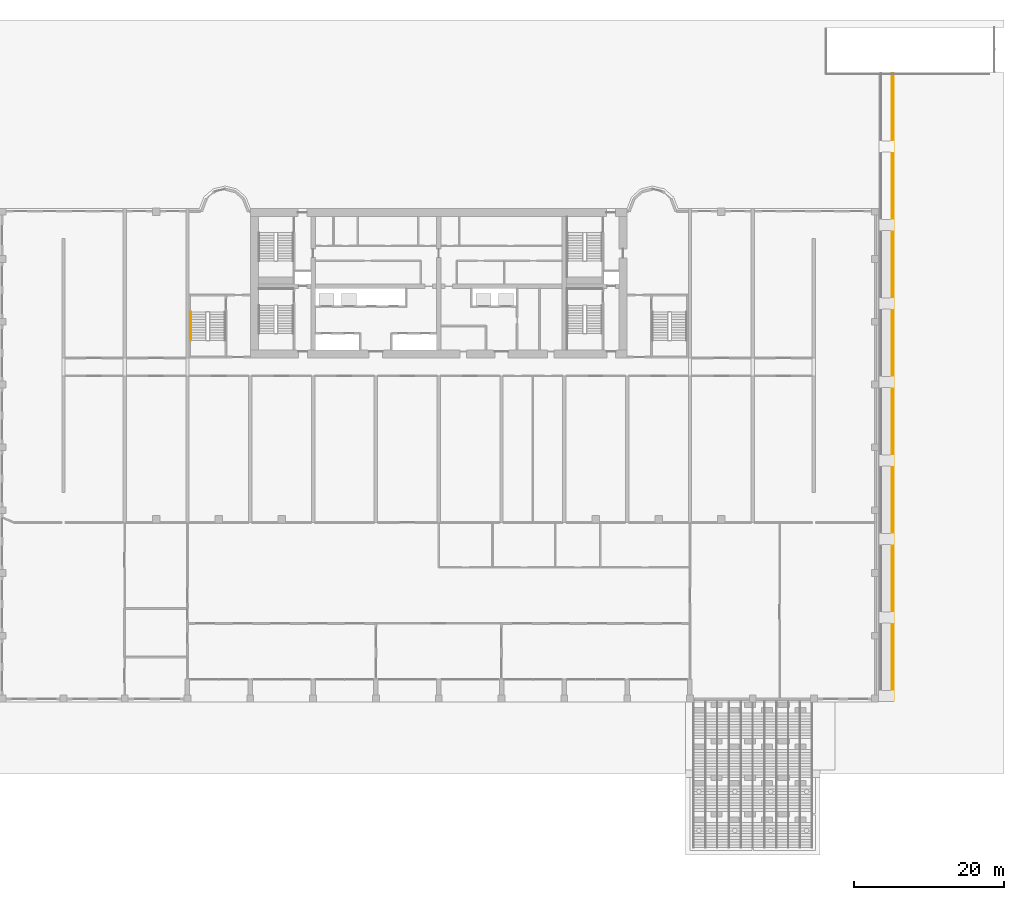
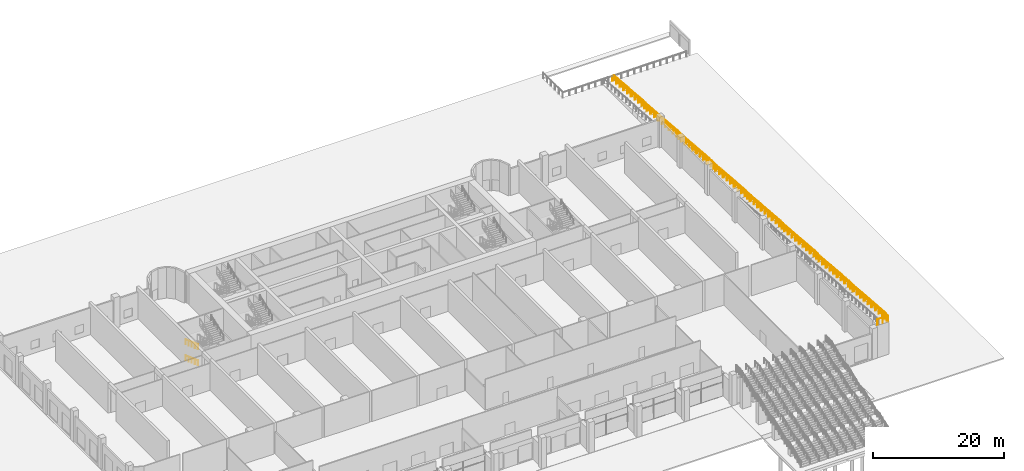
# One storey, part 18 of 20: 4 railings.
"""IFC4 building model written with IfcOpenShell, lengths in metres."""

from ifc_helpers import new_model, si_unit, direction, frame, origin, origin_2d, place, context, subcontext, project, spatial, circle, extrude, source, transform, mapped, material, type_object, element, save


model = new_model("IFC4")

# Units and contexts
model_context = context("Model", 3, precision=1e-05, world=origin(), true_north=direction((0.0, 1.0)))
body_context = subcontext(model_context, "Body", "Model", "MODEL_VIEW")
ifc_project = project(units=[si_unit("LENGTHUNIT", "METRE"), si_unit("AREAUNIT", "SQUARE_METRE"), si_unit("VOLUMEUNIT", "CUBIC_METRE"), si_unit("PLANEANGLEUNIT", "RADIAN"), si_unit("MASSUNIT", "GRAM", prefix="KILO")], contexts=[model_context])

# Site, building, storey
site_placement = place(None, origin())
site = spatial("IfcSite", under=ifc_project, at=site_placement, CompositionType="ELEMENT")
building_placement = place(site_placement, origin())
building = spatial("IfcBuilding", under=site, at=building_placement, Name="Vanashikhar Sky Hotel", CompositionType="ELEMENT")
storey_placement = place(building_placement, origin())
storey = spatial("IfcBuildingStorey", under=building, at=storey_placement, Name="L00", CompositionType="ELEMENT", Elevation=0.0)

# Railings
ifc_material_1 = material(Name="Stainless steel 316", Category="steel")
railing_type_1 = type_object("IfcRailingType", Name="Garden stair guard 1100", PredefinedType="GUARDRAIL", material=ifc_material_1)
shared_shape_1 = source(origin(), body_context, "Body", "SweptSolid", [
    extrude(circle(Radius=0.02392578125, at=origin_2d()), frame((0.0, 0.0, 1.076171875), z_axis=(1.0, 0.0, 0.0), x_axis=(0.0, 1.0, 0.0)), (0.0, 0.0, 1.0), 1.89990234375),
    extrude(circle(Radius=0.02392578125, at=origin_2d()), frame((1.89990234375, 0.0, 1.076171875), z_axis=(0.0, 1.0, 0.0), x_axis=(-1.0, 0.0, 0.0)), (0.0, 0.0, 1.0), 1.400146484375),
    extrude(circle(Radius=0.02392578125, at=origin_2d()), frame((1.89990234375, 1.400146484375, 1.076171875), z_axis=(0.0, 0.996545758245, -0.083045479854), x_axis=(-1.0, 0.0, 0.0)), (0.0, 0.0, 1.0), 9.03125),
    extrude(circle(Radius=0.02392578125, at=origin_2d()), frame((1.89990234375, 10.400146484375, 0.326171875), z_axis=(0.0, 1.0, 0.0), x_axis=(-1.0, 0.0, 0.0)), (0.0, 0.0, 1.0), 1.5),
    extrude(circle(Radius=0.02392578125, at=origin_2d()), frame((1.89990234375, 11.900146484375, 0.326171875), z_axis=(0.0, 0.996545758245, -0.083045479854), x_axis=(-1.0, 0.0, 0.0)), (0.0, 0.0, 1.0), 9.03125),
    extrude(circle(Radius=0.02392578125, at=origin_2d()), frame((1.89990234375, 20.900146484375, -0.423828125), z_axis=(0.0, 1.0, 0.0), x_axis=(-1.0, 0.0, 0.0)), (0.0, 0.0, 1.0), 1.5),
    extrude(circle(Radius=0.02392578125, at=origin_2d()), frame((1.89990234375, 22.400146484375, -0.423828125), z_axis=(0.0, 0.996545758245, -0.083045479854), x_axis=(-1.0, 0.0, 0.0)), (0.0, 0.0, 1.0), 9.03125),
    extrude(circle(Radius=0.02392578125, at=origin_2d()), frame((1.89990234375, 31.400146484375, -1.173828125), z_axis=(0.0, 1.0, 0.0), x_axis=(-1.0, 0.0, 0.0)), (0.0, 0.0, 1.0), 1.5),
    extrude(circle(Radius=0.02392578125, at=origin_2d()), frame((1.89990234375, 32.900146484375, -1.173828125), z_axis=(0.0, 0.996545758245, -0.083045479854), x_axis=(-1.0, 0.0, 0.0)), (0.0, 0.0, 1.0), 9.03125),
    extrude(circle(Radius=0.02392578125, at=origin_2d()), frame((1.89990234375, 41.900146484375, -1.923828125), z_axis=(0.0, 1.0, 0.0), x_axis=(-1.0, 0.0, 0.0)), (0.0, 0.0, 1.0), 1.5),
    extrude(circle(Radius=0.02392578125, at=origin_2d()), frame((1.89990234375, 43.400146484375, -1.923828125), z_axis=(0.0, 0.996545758245, -0.083045479854), x_axis=(-1.0, 0.0, 0.0)), (0.0, 0.0, 1.0), 9.03125),
    extrude(circle(Radius=0.02392578125, at=origin_2d()), frame((1.89990234375, 52.400146484375, -2.673828125), z_axis=(0.0, 1.0, 0.0), x_axis=(-1.0, 0.0, 0.0)), (0.0, 0.0, 1.0), 1.5),
    extrude(circle(Radius=0.02392578125, at=origin_2d()), frame((1.89990234375, 53.900146484375, -2.673828125), z_axis=(0.0, 0.996545758245, -0.083045479854), x_axis=(-1.0, 0.0, 0.0)), (0.0, 0.0, 1.0), 9.03125),
    extrude(circle(Radius=0.02392578125, at=origin_2d()), frame((1.89990234375, 62.900146484375, -3.423828125), z_axis=(0.0, 1.0, 0.0), x_axis=(-1.0, 0.0, 0.0)), (0.0, 0.0, 1.0), 1.5),
    extrude(circle(Radius=0.02392578125, at=origin_2d()), frame((1.89990234375, 64.400146484375, -3.423828125), z_axis=(0.0, 0.996545758245, -0.083045479854), x_axis=(-1.0, 0.0, 0.0)), (0.0, 0.0, 1.0), 9.03125),
    extrude(circle(Radius=0.02392578125, at=origin_2d()), frame((1.89990234375, 73.400146484375, -4.173828125), z_axis=(0.0, 1.0, 0.0), x_axis=(-1.0, 0.0, 0.0)), (0.0, 0.0, 1.0), 1.5),
    extrude(circle(Radius=0.02392578125, at=origin_2d()), frame((1.89990234375, 74.900146484375, -4.173828125), z_axis=(0.0, 0.996545758245, -0.083045479854), x_axis=(-1.0, 0.0, 0.0)), (0.0, 0.0, 1.0), 9.03125),
    extrude(circle(Radius=0.02099609375, at=origin_2d()), origin(), (0.0, 0.0, 1.0), 1.052001953125),
    extrude(circle(Radius=0.02099609375, at=origin_2d()), frame((0.949951171875, 0.0, 0.0)), (0.0, 0.0, 1.0), 1.052001953125),
    extrude(circle(Radius=0.02099609375, at=origin_2d()), frame((1.89990234375, 0.0, 0.0)), (0.0, 0.0, 1.0), 1.052001953125),
    extrude(circle(Radius=0.02099609375, at=origin_2d()), frame((1.89990234375, 0.7001953125, 0.0)), (0.0, 0.0, 1.0), 1.052001953125),
    extrude(circle(Radius=0.02099609375, at=origin_2d()), frame((1.89990234375, 1.400146484375, 0.0)), (0.0, 0.0, 1.0), 1.052001953125),
    extrude(circle(Radius=0.02099609375, at=origin_2d()), frame((1.89990234375, 2.525146484375, -0.09375)), (0.0, 0.0, 1.0), 1.052001953125),
    extrude(circle(Radius=0.02099609375, at=origin_2d()), frame((1.89990234375, 3.650146484375, -0.1875)), (0.0, 0.0, 1.0), 1.052001953125),
    extrude(circle(Radius=0.02099609375, at=origin_2d()), frame((1.89990234375, 4.775146484375, -0.28125)), (0.0, 0.0, 1.0), 1.052001953125),
    extrude(circle(Radius=0.02099609375, at=origin_2d()), frame((1.89990234375, 5.900146484375, -0.375)), (0.0, 0.0, 1.0), 1.052001953125),
    extrude(circle(Radius=0.02099609375, at=origin_2d()), frame((1.89990234375, 7.025146484375, -0.46875)), (0.0, 0.0, 1.0), 1.052001953125),
    extrude(circle(Radius=0.02099609375, at=origin_2d()), frame((1.89990234375, 8.150146484375, -0.5625)), (0.0, 0.0, 1.0), 1.052001953125),
    extrude(circle(Radius=0.02099609375, at=origin_2d()), frame((1.89990234375, 9.275146484375, -0.65625)), (0.0, 0.0, 1.0), 1.052001953125),
    extrude(circle(Radius=0.02099609375, at=origin_2d()), frame((1.89990234375, 10.400146484375, -0.75)), (0.0, 0.0, 1.0), 1.052001953125),
    extrude(circle(Radius=0.02099609375, at=origin_2d()), frame((1.89990234375, 11.150146484375, -0.75)), (0.0, 0.0, 1.0), 1.052001953125),
    extrude(circle(Radius=0.02099609375, at=origin_2d()), frame((1.89990234375, 11.900146484375, -0.75)), (0.0, 0.0, 1.0), 1.052001953125),
    extrude(circle(Radius=0.02099609375, at=origin_2d()), frame((1.89990234375, 13.025146484375, -0.84375)), (0.0, 0.0, 1.0), 1.052001953125),
    extrude(circle(Radius=0.02099609375, at=origin_2d()), frame((1.89990234375, 14.150146484375, -0.9375)), (0.0, 0.0, 1.0), 1.052001953125),
    extrude(circle(Radius=0.02099609375, at=origin_2d()), frame((1.89990234375, 15.275146484375, -1.03125)), (0.0, 0.0, 1.0), 1.052001953125),
    extrude(circle(Radius=0.02099609375, at=origin_2d()), frame((1.89990234375, 16.400146484375, -1.125)), (0.0, 0.0, 1.0), 1.052001953125),
    extrude(circle(Radius=0.02099609375, at=origin_2d()), frame((1.89990234375, 17.525146484375, -1.21875)), (0.0, 0.0, 1.0), 1.052001953125),
    extrude(circle(Radius=0.02099609375, at=origin_2d()), frame((1.89990234375, 18.650146484375, -1.3125)), (0.0, 0.0, 1.0), 1.052001953125),
    extrude(circle(Radius=0.02099609375, at=origin_2d()), frame((1.89990234375, 19.775146484375, -1.40625)), (0.0, 0.0, 1.0), 1.052001953125),
    extrude(circle(Radius=0.02099609375, at=origin_2d()), frame((1.89990234375, 20.900146484375, -1.5)), (0.0, 0.0, 1.0), 1.052001953125),
    extrude(circle(Radius=0.02099609375, at=origin_2d()), frame((1.89990234375, 21.650146484375, -1.5)), (0.0, 0.0, 1.0), 1.052001953125),
    extrude(circle(Radius=0.02099609375, at=origin_2d()), frame((1.89990234375, 22.400146484375, -1.5)), (0.0, 0.0, 1.0), 1.052001953125),
    extrude(circle(Radius=0.02099609375, at=origin_2d()), frame((1.89990234375, 23.525146484375, -1.59375)), (0.0, 0.0, 1.0), 1.052001953125),
    extrude(circle(Radius=0.02099609375, at=origin_2d()), frame((1.89990234375, 24.650146484375, -1.6875)), (0.0, 0.0, 1.0), 1.052001953125),
    extrude(circle(Radius=0.02099609375, at=origin_2d()), frame((1.89990234375, 25.775146484375, -1.78125)), (0.0, 0.0, 1.0), 1.052001953125),
    extrude(circle(Radius=0.02099609375, at=origin_2d()), frame((1.89990234375, 26.900146484375, -1.875)), (0.0, 0.0, 1.0), 1.052001953125),
    extrude(circle(Radius=0.02099609375, at=origin_2d()), frame((1.89990234375, 28.025146484375, -1.96875)), (0.0, 0.0, 1.0), 1.052001953125),
    extrude(circle(Radius=0.02099609375, at=origin_2d()), frame((1.89990234375, 29.150146484375, -2.0625)), (0.0, 0.0, 1.0), 1.052001953125),
    extrude(circle(Radius=0.02099609375, at=origin_2d()), frame((1.89990234375, 30.275146484375, -2.15625)), (0.0, 0.0, 1.0), 1.052001953125),
    extrude(circle(Radius=0.02099609375, at=origin_2d()), frame((1.89990234375, 31.400146484375, -2.25)), (0.0, 0.0, 1.0), 1.052001953125),
    extrude(circle(Radius=0.02099609375, at=origin_2d()), frame((1.89990234375, 32.150146484375, -2.25)), (0.0, 0.0, 1.0), 1.052001953125),
    extrude(circle(Radius=0.02099609375, at=origin_2d()), frame((1.89990234375, 32.900146484375, -2.25)), (0.0, 0.0, 1.0), 1.052001953125),
    extrude(circle(Radius=0.02099609375, at=origin_2d()), frame((1.89990234375, 34.025146484375, -2.34375)), (0.0, 0.0, 1.0), 1.052001953125),
    extrude(circle(Radius=0.02099609375, at=origin_2d()), frame((1.89990234375, 35.150146484375, -2.4375)), (0.0, 0.0, 1.0), 1.052001953125),
    extrude(circle(Radius=0.02099609375, at=origin_2d()), frame((1.89990234375, 36.275146484375, -2.53125)), (0.0, 0.0, 1.0), 1.052001953125),
    extrude(circle(Radius=0.02099609375, at=origin_2d()), frame((1.89990234375, 37.400146484375, -2.625)), (0.0, 0.0, 1.0), 1.052001953125),
    extrude(circle(Radius=0.02099609375, at=origin_2d()), frame((1.89990234375, 38.525146484375, -2.71875)), (0.0, 0.0, 1.0), 1.052001953125),
    extrude(circle(Radius=0.02099609375, at=origin_2d()), frame((1.89990234375, 39.650146484375, -2.8125)), (0.0, 0.0, 1.0), 1.052001953125),
    extrude(circle(Radius=0.02099609375, at=origin_2d()), frame((1.89990234375, 40.775146484375, -2.90625)), (0.0, 0.0, 1.0), 1.052001953125),
    extrude(circle(Radius=0.02099609375, at=origin_2d()), frame((1.89990234375, 41.900146484375, -3.0)), (0.0, 0.0, 1.0), 1.052001953125),
    extrude(circle(Radius=0.02099609375, at=origin_2d()), frame((1.89990234375, 42.650146484375, -3.0)), (0.0, 0.0, 1.0), 1.052001953125),
    extrude(circle(Radius=0.02099609375, at=origin_2d()), frame((1.89990234375, 43.400146484375, -3.0)), (0.0, 0.0, 1.0), 1.052001953125),
    extrude(circle(Radius=0.02099609375, at=origin_2d()), frame((1.89990234375, 44.525146484375, -3.09375)), (0.0, 0.0, 1.0), 1.052001953125),
    extrude(circle(Radius=0.02099609375, at=origin_2d()), frame((1.89990234375, 45.650146484375, -3.1875)), (0.0, 0.0, 1.0), 1.052001953125),
    extrude(circle(Radius=0.02099609375, at=origin_2d()), frame((1.89990234375, 46.775146484375, -3.28125)), (0.0, 0.0, 1.0), 1.052001953125),
    extrude(circle(Radius=0.02099609375, at=origin_2d()), frame((1.89990234375, 47.900146484375, -3.375)), (0.0, 0.0, 1.0), 1.052001953125),
    extrude(circle(Radius=0.02099609375, at=origin_2d()), frame((1.89990234375, 49.025146484375, -3.46875)), (0.0, 0.0, 1.0), 1.052001953125),
    extrude(circle(Radius=0.02099609375, at=origin_2d()), frame((1.89990234375, 50.150146484375, -3.5625)), (0.0, 0.0, 1.0), 1.052001953125),
    extrude(circle(Radius=0.02099609375, at=origin_2d()), frame((1.89990234375, 51.275146484375, -3.65625)), (0.0, 0.0, 1.0), 1.052001953125),
    extrude(circle(Radius=0.02099609375, at=origin_2d()), frame((1.89990234375, 52.400146484375, -3.75)), (0.0, 0.0, 1.0), 1.052001953125),
    extrude(circle(Radius=0.02099609375, at=origin_2d()), frame((1.89990234375, 53.150146484375, -3.75)), (0.0, 0.0, 1.0), 1.052001953125),
    extrude(circle(Radius=0.02099609375, at=origin_2d()), frame((1.89990234375, 53.900146484375, -3.75)), (0.0, 0.0, 1.0), 1.052001953125),
    extrude(circle(Radius=0.02099609375, at=origin_2d()), frame((1.89990234375, 55.025146484375, -3.84375)), (0.0, 0.0, 1.0), 1.052001953125),
    extrude(circle(Radius=0.02099609375, at=origin_2d()), frame((1.89990234375, 56.150146484375, -3.9375)), (0.0, 0.0, 1.0), 1.052001953125),
    extrude(circle(Radius=0.02099609375, at=origin_2d()), frame((1.89990234375, 57.275146484375, -4.03125)), (0.0, 0.0, 1.0), 1.052001953125),
    extrude(circle(Radius=0.02099609375, at=origin_2d()), frame((1.89990234375, 58.400146484375, -4.125)), (0.0, 0.0, 1.0), 1.052001953125),
    extrude(circle(Radius=0.02099609375, at=origin_2d()), frame((1.89990234375, 59.525146484375, -4.21875)), (0.0, 0.0, 1.0), 1.052001953125),
    extrude(circle(Radius=0.02099609375, at=origin_2d()), frame((1.89990234375, 60.650146484375, -4.3125)), (0.0, 0.0, 1.0), 1.052001953125),
    extrude(circle(Radius=0.02099609375, at=origin_2d()), frame((1.89990234375, 61.775146484375, -4.40625)), (0.0, 0.0, 1.0), 1.052001953125),
    extrude(circle(Radius=0.02099609375, at=origin_2d()), frame((1.89990234375, 62.900146484375, -4.5)), (0.0, 0.0, 1.0), 1.052001953125),
    extrude(circle(Radius=0.02099609375, at=origin_2d()), frame((1.89990234375, 63.650146484375, -4.5)), (0.0, 0.0, 1.0), 1.052001953125),
    extrude(circle(Radius=0.02099609375, at=origin_2d()), frame((1.89990234375, 64.400146484375, -4.5)), (0.0, 0.0, 1.0), 1.052001953125),
    extrude(circle(Radius=0.02099609375, at=origin_2d()), frame((1.89990234375, 65.525146484375, -4.59375)), (0.0, 0.0, 1.0), 1.052001953125),
    extrude(circle(Radius=0.02099609375, at=origin_2d()), frame((1.89990234375, 66.650146484375, -4.6875)), (0.0, 0.0, 1.0), 1.052001953125),
    extrude(circle(Radius=0.02099609375, at=origin_2d()), frame((1.89990234375, 67.775146484375, -4.78125)), (0.0, 0.0, 1.0), 1.052001953125),
    extrude(circle(Radius=0.02099609375, at=origin_2d()), frame((1.89990234375, 68.900146484375, -4.875)), (0.0, 0.0, 1.0), 1.052001953125),
    extrude(circle(Radius=0.02099609375, at=origin_2d()), frame((1.89990234375, 70.025146484375, -4.96875)), (0.0, 0.0, 1.0), 1.052001953125),
    extrude(circle(Radius=0.02099609375, at=origin_2d()), frame((1.89990234375, 71.150146484375, -5.0625)), (0.0, 0.0, 1.0), 1.052001953125),
    extrude(circle(Radius=0.02099609375, at=origin_2d()), frame((1.89990234375, 72.275146484375, -5.15625)), (0.0, 0.0, 1.0), 1.052001953125),
    extrude(circle(Radius=0.02099609375, at=origin_2d()), frame((1.89990234375, 73.400146484375, -5.25)), (0.0, 0.0, 1.0), 1.052001953125),
    extrude(circle(Radius=0.02099609375, at=origin_2d()), frame((1.89990234375, 74.150146484375, -5.25)), (0.0, 0.0, 1.0), 1.052001953125),
    extrude(circle(Radius=0.02099609375, at=origin_2d()), frame((1.89990234375, 74.900146484375, -5.25)), (0.0, 0.0, 1.0), 1.052001953125),
    extrude(circle(Radius=0.02099609375, at=origin_2d()), frame((1.89990234375, 76.025146484375, -5.34375)), (0.0, 0.0, 1.0), 1.052001953125),
    extrude(circle(Radius=0.02099609375, at=origin_2d()), frame((1.89990234375, 77.150146484375, -5.4375)), (0.0, 0.0, 1.0), 1.052001953125),
    extrude(circle(Radius=0.02099609375, at=origin_2d()), frame((1.89990234375, 78.275146484375, -5.53125)), (0.0, 0.0, 1.0), 1.052001953125),
    extrude(circle(Radius=0.02099609375, at=origin_2d()), frame((1.89990234375, 79.400146484375, -5.625)), (0.0, 0.0, 1.0), 1.052001953125),
    extrude(circle(Radius=0.02099609375, at=origin_2d()), frame((1.89990234375, 80.525146484375, -5.71875)), (0.0, 0.0, 1.0), 1.052001953125),
    extrude(circle(Radius=0.02099609375, at=origin_2d()), frame((1.89990234375, 81.650146484375, -5.8125)), (0.0, 0.0, 1.0), 1.052001953125),
    extrude(circle(Radius=0.02099609375, at=origin_2d()), frame((1.89990234375, 82.775146484375, -5.90625)), (0.0, 0.0, 1.0), 1.052001953125),
    extrude(circle(Radius=0.02099609375, at=origin_2d()), frame((1.89990234375, 83.900146484375, -6.0)), (0.0, 0.0, 1.0), 1.052001953125),
])
railing_1_placement = place(storey_placement, frame((109.300048828125, -23.85009765625, 6.0)))
element("IfcRailing", 1, at=railing_1_placement, inside=storey, type_object=railing_type_1, Name="Ramp guard", PredefinedType="GUARDRAIL", context=body_context, shape_type="MappedRepresentation", body=[
    mapped(shared_shape_1, transform((0.0, 0.0, 0.0), scale=1.0)),
])
railing_type_2 = type_object("IfcRailingType", Name="Handrail 900", PredefinedType="HANDRAIL", material=ifc_material_1)
shared_shape_2 = source(origin(), body_context, "Body", "SweptSolid", [
    extrude(circle(Radius=0.02392578125, at=origin_2d()), frame((0.0, 0.0, 0.8759765625), z_axis=(0.0, 1.0, 0.0), x_axis=(-1.0, 0.0, 0.0)), (0.0, 0.0, 1.0), 1.300048828125),
    extrude(circle(Radius=0.02392578125, at=origin_2d()), frame((0.0, 1.300048828125, 0.8759765625), z_axis=(0.0, 0.996545758245, -0.083045479854), x_axis=(-1.0, 0.0, 0.0)), (0.0, 0.0, 1.0), 9.03125),
    extrude(circle(Radius=0.02392578125, at=origin_2d()), frame((0.0, 10.300048828125, 0.1259765625), z_axis=(0.0, 1.0, 0.0), x_axis=(-1.0, 0.0, 0.0)), (0.0, 0.0, 1.0), 1.5),
    extrude(circle(Radius=0.02392578125, at=origin_2d()), frame((0.0, 11.800048828125, 0.1259765625), z_axis=(0.0, 0.996545758245, -0.083045479854), x_axis=(-1.0, 0.0, 0.0)), (0.0, 0.0, 1.0), 9.03125),
    extrude(circle(Radius=0.02392578125, at=origin_2d()), frame((0.0, 20.800048828125, -0.6240234375), z_axis=(0.0, 1.0, 0.0), x_axis=(-1.0, 0.0, 0.0)), (0.0, 0.0, 1.0), 1.5),
    extrude(circle(Radius=0.02392578125, at=origin_2d()), frame((0.0, 22.300048828125, -0.6240234375), z_axis=(0.0, 0.996545758245, -0.083045479854), x_axis=(-1.0, 0.0, 0.0)), (0.0, 0.0, 1.0), 9.03125),
    extrude(circle(Radius=0.02392578125, at=origin_2d()), frame((0.0, 31.300048828125, -1.3740234375), z_axis=(0.0, 1.0, 0.0), x_axis=(-1.0, 0.0, 0.0)), (0.0, 0.0, 1.0), 1.5),
    extrude(circle(Radius=0.02392578125, at=origin_2d()), frame((0.0, 32.800048828125, -1.3740234375), z_axis=(0.0, 0.996545758245, -0.083045479854), x_axis=(-1.0, 0.0, 0.0)), (0.0, 0.0, 1.0), 9.03125),
    extrude(circle(Radius=0.02392578125, at=origin_2d()), frame((0.0, 41.800048828125, -2.1240234375), z_axis=(0.0, 1.0, 0.0), x_axis=(-1.0, 0.0, 0.0)), (0.0, 0.0, 1.0), 1.5),
    extrude(circle(Radius=0.02392578125, at=origin_2d()), frame((0.0, 43.300048828125, -2.1240234375), z_axis=(0.0, 0.996545758245, -0.083045479854), x_axis=(-1.0, 0.0, 0.0)), (0.0, 0.0, 1.0), 9.03125),
    extrude(circle(Radius=0.02392578125, at=origin_2d()), frame((0.0, 52.300048828125, -2.8740234375), z_axis=(0.0, 1.0, 0.0), x_axis=(-1.0, 0.0, 0.0)), (0.0, 0.0, 1.0), 1.5),
    extrude(circle(Radius=0.02392578125, at=origin_2d()), frame((0.0, 53.800048828125, -2.8740234375), z_axis=(0.0, 0.996545758245, -0.083045479854), x_axis=(-1.0, 0.0, 0.0)), (0.0, 0.0, 1.0), 9.03125),
    extrude(circle(Radius=0.02392578125, at=origin_2d()), frame((0.0, 62.800048828125, -3.6240234375), z_axis=(0.0, 1.0, 0.0), x_axis=(-1.0, 0.0, 0.0)), (0.0, 0.0, 1.0), 1.5),
    extrude(circle(Radius=0.02392578125, at=origin_2d()), frame((0.0, 64.300048828125, -3.6240234375), z_axis=(0.0, 0.996545758245, -0.083045479854), x_axis=(-1.0, 0.0, 0.0)), (0.0, 0.0, 1.0), 9.03125),
    extrude(circle(Radius=0.02392578125, at=origin_2d()), frame((0.0, 73.300048828125, -4.3740234375), z_axis=(0.0, 1.0, 0.0), x_axis=(-1.0, 0.0, 0.0)), (0.0, 0.0, 1.0), 1.5),
    extrude(circle(Radius=0.02392578125, at=origin_2d()), frame((0.0, 74.800048828125, -4.3740234375), z_axis=(0.0, 0.996545758245, -0.083045479854), x_axis=(-1.0, 0.0, 0.0)), (0.0, 0.0, 1.0), 9.03125),
    extrude(circle(Radius=0.02099609375, at=origin_2d()), origin(), (0.0, 0.0, 1.0), 0.851806640625),
    extrude(circle(Radius=0.02099609375, at=origin_2d()), frame((0.0, 0.64990234375, 0.0)), (0.0, 0.0, 1.0), 0.851806640625),
    extrude(circle(Radius=0.02099609375, at=origin_2d()), frame((0.0, 1.300048828125, 0.0)), (0.0, 0.0, 1.0), 0.851806640625),
    extrude(circle(Radius=0.02099609375, at=origin_2d()), frame((0.0, 2.425048828125, -0.09375)), (0.0, 0.0, 1.0), 0.851806640625),
    extrude(circle(Radius=0.02099609375, at=origin_2d()), frame((0.0, 3.550048828125, -0.1875)), (0.0, 0.0, 1.0), 0.851806640625),
    extrude(circle(Radius=0.02099609375, at=origin_2d()), frame((0.0, 4.675048828125, -0.28125)), (0.0, 0.0, 1.0), 0.851806640625),
    extrude(circle(Radius=0.02099609375, at=origin_2d()), frame((0.0, 5.800048828125, -0.375)), (0.0, 0.0, 1.0), 0.851806640625),
    extrude(circle(Radius=0.02099609375, at=origin_2d()), frame((0.0, 6.925048828125, -0.46875)), (0.0, 0.0, 1.0), 0.851806640625),
    extrude(circle(Radius=0.02099609375, at=origin_2d()), frame((0.0, 8.050048828125, -0.5625)), (0.0, 0.0, 1.0), 0.851806640625),
    extrude(circle(Radius=0.02099609375, at=origin_2d()), frame((0.0, 9.175048828125, -0.65625)), (0.0, 0.0, 1.0), 0.851806640625),
    extrude(circle(Radius=0.02099609375, at=origin_2d()), frame((0.0, 10.300048828125, -0.75)), (0.0, 0.0, 1.0), 0.851806640625),
    extrude(circle(Radius=0.02099609375, at=origin_2d()), frame((0.0, 11.050048828125, -0.75)), (0.0, 0.0, 1.0), 0.851806640625),
    extrude(circle(Radius=0.02099609375, at=origin_2d()), frame((0.0, 11.800048828125, -0.75)), (0.0, 0.0, 1.0), 0.851806640625),
    extrude(circle(Radius=0.02099609375, at=origin_2d()), frame((0.0, 12.925048828125, -0.84375)), (0.0, 0.0, 1.0), 0.851806640625),
    extrude(circle(Radius=0.02099609375, at=origin_2d()), frame((0.0, 14.050048828125, -0.9375)), (0.0, 0.0, 1.0), 0.851806640625),
    extrude(circle(Radius=0.02099609375, at=origin_2d()), frame((0.0, 15.175048828125, -1.03125)), (0.0, 0.0, 1.0), 0.851806640625),
    extrude(circle(Radius=0.02099609375, at=origin_2d()), frame((0.0, 16.300048828125, -1.125)), (0.0, 0.0, 1.0), 0.851806640625),
    extrude(circle(Radius=0.02099609375, at=origin_2d()), frame((0.0, 17.425048828125, -1.21875)), (0.0, 0.0, 1.0), 0.851806640625),
    extrude(circle(Radius=0.02099609375, at=origin_2d()), frame((0.0, 18.550048828125, -1.3125)), (0.0, 0.0, 1.0), 0.851806640625),
    extrude(circle(Radius=0.02099609375, at=origin_2d()), frame((0.0, 19.675048828125, -1.40625)), (0.0, 0.0, 1.0), 0.851806640625),
    extrude(circle(Radius=0.02099609375, at=origin_2d()), frame((0.0, 20.800048828125, -1.5)), (0.0, 0.0, 1.0), 0.851806640625),
    extrude(circle(Radius=0.02099609375, at=origin_2d()), frame((0.0, 21.550048828125, -1.5)), (0.0, 0.0, 1.0), 0.851806640625),
    extrude(circle(Radius=0.02099609375, at=origin_2d()), frame((0.0, 22.300048828125, -1.5)), (0.0, 0.0, 1.0), 0.851806640625),
    extrude(circle(Radius=0.02099609375, at=origin_2d()), frame((0.0, 23.425048828125, -1.59375)), (0.0, 0.0, 1.0), 0.851806640625),
    extrude(circle(Radius=0.02099609375, at=origin_2d()), frame((0.0, 24.550048828125, -1.6875)), (0.0, 0.0, 1.0), 0.851806640625),
    extrude(circle(Radius=0.02099609375, at=origin_2d()), frame((0.0, 25.675048828125, -1.78125)), (0.0, 0.0, 1.0), 0.851806640625),
    extrude(circle(Radius=0.02099609375, at=origin_2d()), frame((0.0, 26.800048828125, -1.875)), (0.0, 0.0, 1.0), 0.851806640625),
    extrude(circle(Radius=0.02099609375, at=origin_2d()), frame((0.0, 27.925048828125, -1.96875)), (0.0, 0.0, 1.0), 0.851806640625),
    extrude(circle(Radius=0.02099609375, at=origin_2d()), frame((0.0, 29.050048828125, -2.0625)), (0.0, 0.0, 1.0), 0.851806640625),
    extrude(circle(Radius=0.02099609375, at=origin_2d()), frame((0.0, 30.175048828125, -2.15625)), (0.0, 0.0, 1.0), 0.851806640625),
    extrude(circle(Radius=0.02099609375, at=origin_2d()), frame((0.0, 31.300048828125, -2.25)), (0.0, 0.0, 1.0), 0.851806640625),
    extrude(circle(Radius=0.02099609375, at=origin_2d()), frame((0.0, 32.050048828125, -2.25)), (0.0, 0.0, 1.0), 0.851806640625),
    extrude(circle(Radius=0.02099609375, at=origin_2d()), frame((0.0, 32.800048828125, -2.25)), (0.0, 0.0, 1.0), 0.851806640625),
    extrude(circle(Radius=0.02099609375, at=origin_2d()), frame((0.0, 33.925048828125, -2.34375)), (0.0, 0.0, 1.0), 0.851806640625),
    extrude(circle(Radius=0.02099609375, at=origin_2d()), frame((0.0, 35.050048828125, -2.4375)), (0.0, 0.0, 1.0), 0.851806640625),
    extrude(circle(Radius=0.02099609375, at=origin_2d()), frame((0.0, 36.175048828125, -2.53125)), (0.0, 0.0, 1.0), 0.851806640625),
    extrude(circle(Radius=0.02099609375, at=origin_2d()), frame((0.0, 37.300048828125, -2.625)), (0.0, 0.0, 1.0), 0.851806640625),
    extrude(circle(Radius=0.02099609375, at=origin_2d()), frame((0.0, 38.425048828125, -2.71875)), (0.0, 0.0, 1.0), 0.851806640625),
    extrude(circle(Radius=0.02099609375, at=origin_2d()), frame((0.0, 39.550048828125, -2.8125)), (0.0, 0.0, 1.0), 0.851806640625),
    extrude(circle(Radius=0.02099609375, at=origin_2d()), frame((0.0, 40.675048828125, -2.90625)), (0.0, 0.0, 1.0), 0.851806640625),
    extrude(circle(Radius=0.02099609375, at=origin_2d()), frame((0.0, 41.800048828125, -3.0)), (0.0, 0.0, 1.0), 0.851806640625),
    extrude(circle(Radius=0.02099609375, at=origin_2d()), frame((0.0, 42.550048828125, -3.0)), (0.0, 0.0, 1.0), 0.851806640625),
    extrude(circle(Radius=0.02099609375, at=origin_2d()), frame((0.0, 43.300048828125, -3.0)), (0.0, 0.0, 1.0), 0.851806640625),
    extrude(circle(Radius=0.02099609375, at=origin_2d()), frame((0.0, 44.425048828125, -3.09375)), (0.0, 0.0, 1.0), 0.851806640625),
    extrude(circle(Radius=0.02099609375, at=origin_2d()), frame((0.0, 45.550048828125, -3.1875)), (0.0, 0.0, 1.0), 0.851806640625),
    extrude(circle(Radius=0.02099609375, at=origin_2d()), frame((0.0, 46.675048828125, -3.28125)), (0.0, 0.0, 1.0), 0.851806640625),
    extrude(circle(Radius=0.02099609375, at=origin_2d()), frame((0.0, 47.800048828125, -3.375)), (0.0, 0.0, 1.0), 0.851806640625),
    extrude(circle(Radius=0.02099609375, at=origin_2d()), frame((0.0, 48.925048828125, -3.46875)), (0.0, 0.0, 1.0), 0.851806640625),
    extrude(circle(Radius=0.02099609375, at=origin_2d()), frame((0.0, 50.050048828125, -3.5625)), (0.0, 0.0, 1.0), 0.851806640625),
    extrude(circle(Radius=0.02099609375, at=origin_2d()), frame((0.0, 51.175048828125, -3.65625)), (0.0, 0.0, 1.0), 0.851806640625),
    extrude(circle(Radius=0.02099609375, at=origin_2d()), frame((0.0, 52.300048828125, -3.75)), (0.0, 0.0, 1.0), 0.851806640625),
    extrude(circle(Radius=0.02099609375, at=origin_2d()), frame((0.0, 53.050048828125, -3.75)), (0.0, 0.0, 1.0), 0.851806640625),
    extrude(circle(Radius=0.02099609375, at=origin_2d()), frame((0.0, 53.800048828125, -3.75)), (0.0, 0.0, 1.0), 0.851806640625),
    extrude(circle(Radius=0.02099609375, at=origin_2d()), frame((0.0, 54.925048828125, -3.84375)), (0.0, 0.0, 1.0), 0.851806640625),
    extrude(circle(Radius=0.02099609375, at=origin_2d()), frame((0.0, 56.050048828125, -3.9375)), (0.0, 0.0, 1.0), 0.851806640625),
    extrude(circle(Radius=0.02099609375, at=origin_2d()), frame((0.0, 57.175048828125, -4.03125)), (0.0, 0.0, 1.0), 0.851806640625),
    extrude(circle(Radius=0.02099609375, at=origin_2d()), frame((0.0, 58.300048828125, -4.125)), (0.0, 0.0, 1.0), 0.851806640625),
    extrude(circle(Radius=0.02099609375, at=origin_2d()), frame((0.0, 59.425048828125, -4.21875)), (0.0, 0.0, 1.0), 0.851806640625),
    extrude(circle(Radius=0.02099609375, at=origin_2d()), frame((0.0, 60.550048828125, -4.3125)), (0.0, 0.0, 1.0), 0.851806640625),
    extrude(circle(Radius=0.02099609375, at=origin_2d()), frame((0.0, 61.675048828125, -4.40625)), (0.0, 0.0, 1.0), 0.851806640625),
    extrude(circle(Radius=0.02099609375, at=origin_2d()), frame((0.0, 62.800048828125, -4.5)), (0.0, 0.0, 1.0), 0.851806640625),
    extrude(circle(Radius=0.02099609375, at=origin_2d()), frame((0.0, 63.550048828125, -4.5)), (0.0, 0.0, 1.0), 0.851806640625),
    extrude(circle(Radius=0.02099609375, at=origin_2d()), frame((0.0, 64.300048828125, -4.5)), (0.0, 0.0, 1.0), 0.851806640625),
    extrude(circle(Radius=0.02099609375, at=origin_2d()), frame((0.0, 65.425048828125, -4.59375)), (0.0, 0.0, 1.0), 0.851806640625),
    extrude(circle(Radius=0.02099609375, at=origin_2d()), frame((0.0, 66.550048828125, -4.6875)), (0.0, 0.0, 1.0), 0.851806640625),
    extrude(circle(Radius=0.02099609375, at=origin_2d()), frame((0.0, 67.675048828125, -4.78125)), (0.0, 0.0, 1.0), 0.851806640625),
    extrude(circle(Radius=0.02099609375, at=origin_2d()), frame((0.0, 68.800048828125, -4.875)), (0.0, 0.0, 1.0), 0.851806640625),
    extrude(circle(Radius=0.02099609375, at=origin_2d()), frame((0.0, 69.925048828125, -4.96875)), (0.0, 0.0, 1.0), 0.851806640625),
    extrude(circle(Radius=0.02099609375, at=origin_2d()), frame((0.0, 71.050048828125, -5.0625)), (0.0, 0.0, 1.0), 0.851806640625),
    extrude(circle(Radius=0.02099609375, at=origin_2d()), frame((0.0, 72.175048828125, -5.15625)), (0.0, 0.0, 1.0), 0.851806640625),
    extrude(circle(Radius=0.02099609375, at=origin_2d()), frame((0.0, 73.300048828125, -5.25)), (0.0, 0.0, 1.0), 0.851806640625),
    extrude(circle(Radius=0.02099609375, at=origin_2d()), frame((0.0, 74.050048828125, -5.25)), (0.0, 0.0, 1.0), 0.851806640625),
    extrude(circle(Radius=0.02099609375, at=origin_2d()), frame((0.0, 74.800048828125, -5.25)), (0.0, 0.0, 1.0), 0.851806640625),
    extrude(circle(Radius=0.02099609375, at=origin_2d()), frame((0.0, 75.925048828125, -5.34375)), (0.0, 0.0, 1.0), 0.851806640625),
    extrude(circle(Radius=0.02099609375, at=origin_2d()), frame((0.0, 77.050048828125, -5.4375)), (0.0, 0.0, 1.0), 0.851806640625),
    extrude(circle(Radius=0.02099609375, at=origin_2d()), frame((0.0, 78.175048828125, -5.53125)), (0.0, 0.0, 1.0), 0.851806640625),
    extrude(circle(Radius=0.02099609375, at=origin_2d()), frame((0.0, 79.300048828125, -5.625)), (0.0, 0.0, 1.0), 0.851806640625),
    extrude(circle(Radius=0.02099609375, at=origin_2d()), frame((0.0, 80.425048828125, -5.71875)), (0.0, 0.0, 1.0), 0.851806640625),
    extrude(circle(Radius=0.02099609375, at=origin_2d()), frame((0.0, 81.550048828125, -5.8125)), (0.0, 0.0, 1.0), 0.851806640625),
    extrude(circle(Radius=0.02099609375, at=origin_2d()), frame((0.0, 82.675048828125, -5.90625)), (0.0, 0.0, 1.0), 0.851806640625),
    extrude(circle(Radius=0.02099609375, at=origin_2d()), frame((0.0, 83.800048828125, -6.0)), (0.0, 0.0, 1.0), 0.851806640625),
])
railing_2_placement = place(storey_placement, frame((111.0, -23.75, 6.0)))
element("IfcRailing", 2, at=railing_2_placement, inside=storey, type_object=railing_type_2, Name="Ramp handrail", PredefinedType="HANDRAIL", context=body_context, shape_type="MappedRepresentation", body=[
    mapped(shared_shape_2, transform((0.0, 0.0, 0.0), scale=1.0)),
])
ifc_material_2 = material(Name="Steel S355", Category="steel")
railing_type_3 = type_object("IfcRailingType", Name="Stair handrail 900", PredefinedType="HANDRAIL", material=ifc_material_2)
shared_shape_3 = source(origin(), body_context, "Body", "SweptSolid", [
    extrude(circle(Radius=0.02392578125, at=origin_2d()), frame((0.0, 0.0, 0.8759765625), z_axis=(0.0, -0.940328521504, 0.340267940961), x_axis=(1.0, 0.0, 0.0)), (0.0, 0.0, 1.0), 4.041015625),
    extrude(circle(Radius=0.02099609375, at=origin_2d()), origin(), (0.0, 0.0, 1.0), 0.851806640625),
    extrude(circle(Radius=0.02099609375, at=origin_2d()), frame((0.0, -0.949951171875, 0.34375)), (0.0, 0.0, 1.0), 0.851806640625),
    extrude(circle(Radius=0.02099609375, at=origin_2d()), frame((0.0, -1.89990234375, 0.6875)), (0.0, 0.0, 1.0), 0.851806640625),
    extrude(circle(Radius=0.02099609375, at=origin_2d()), frame((0.0, -2.849853515625, 1.03125)), (0.0, 0.0, 1.0), 0.851806640625),
    extrude(circle(Radius=0.02099609375, at=origin_2d()), frame((0.0, -3.7998046875, 1.375)), (0.0, 0.0, 1.0), 0.851806640625),
])
for number, where, name in (
    (3, (17.25, 28.14990234375, 0.125), "Exit stair 3 handrail"),
    (4, (17.25, 28.14990234375, 3.125), "Exit stair 3 handrail"),
):
    element("IfcRailing", number, at=place(storey_placement, frame(where)), inside=storey, type_object=railing_type_3, Name=name, PredefinedType="HANDRAIL", context=body_context, shape_type="MappedRepresentation", body=[
        mapped(shared_shape_3, transform((0.0, 0.0, 0.0), scale=1.0)),
    ])

save(model, "model.ifc")
